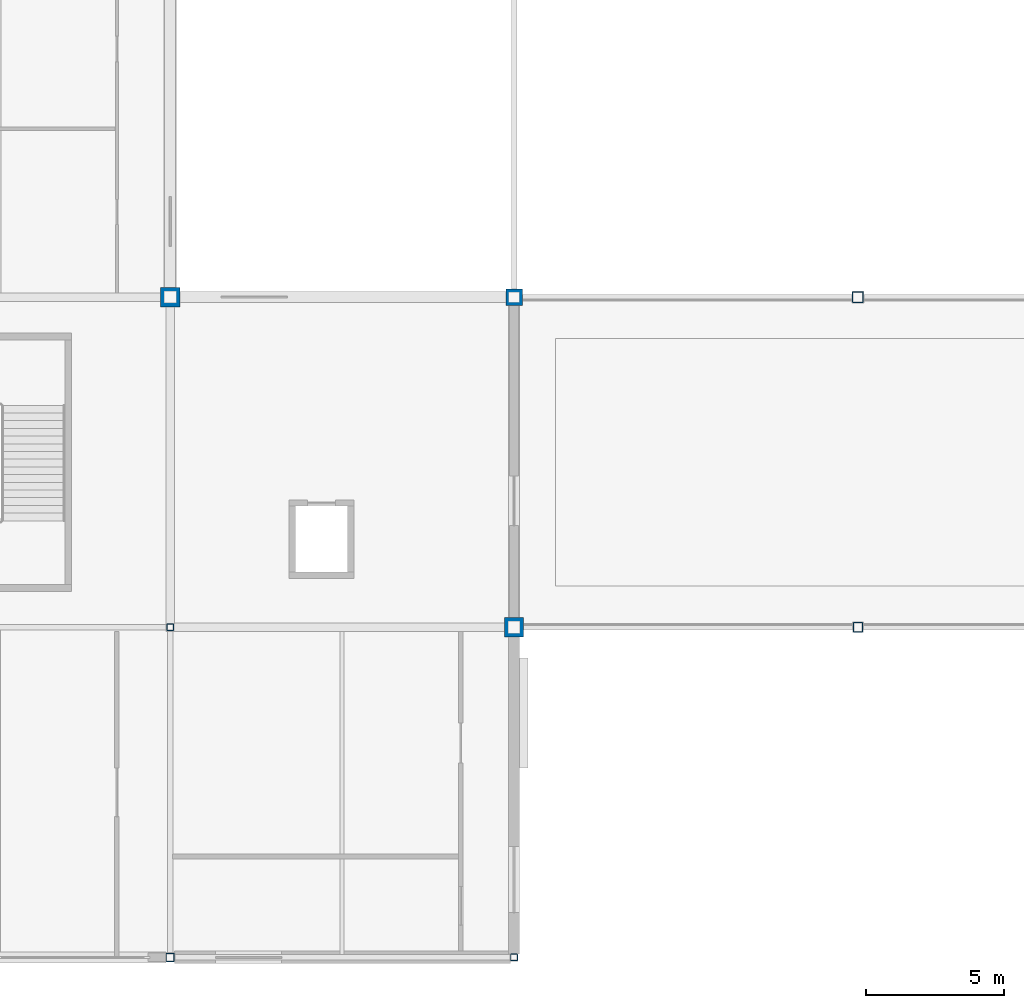
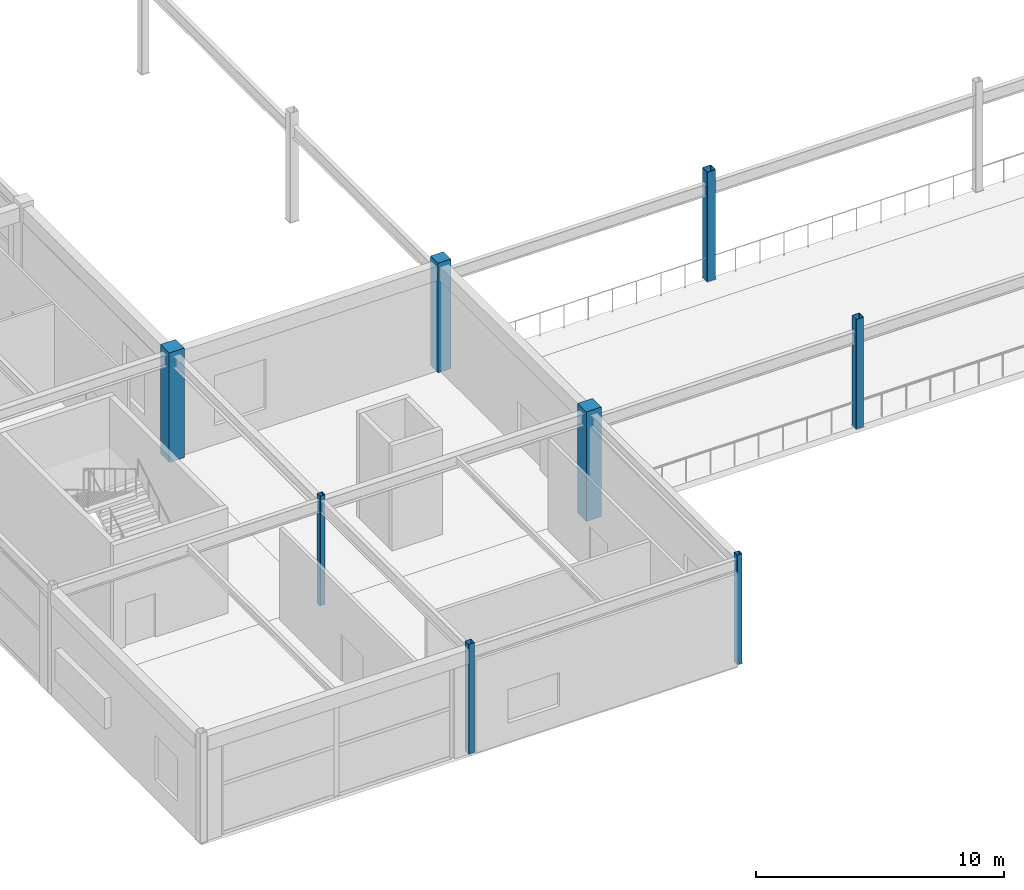
# One storey, part 2 of 105: 8 columns.
"""IFC4 building model written with IfcOpenShell, lengths in metres."""

from ifc_helpers import new_model, si_unit, direction, frame, origin, origin_2d, place, context, subcontext, project, spatial, rectangle, hollow_rectangle, extrude, material, material_profile, profile_set, type_object, element, save


model = new_model("IFC4")

# Units and contexts
model_context = context("Model", 3, precision=1e-05, world=origin(), true_north=direction((0.0, 1.0)))
body_context = subcontext(model_context, "Body", "Model", "MODEL_VIEW")
ifc_project = project(units=[si_unit("LENGTHUNIT", "METRE"), si_unit("AREAUNIT", "SQUARE_METRE"), si_unit("VOLUMEUNIT", "CUBIC_METRE"), si_unit("PLANEANGLEUNIT", "RADIAN"), si_unit("MASSUNIT", "GRAM", prefix="KILO")], contexts=[model_context])

# Site, building, storey
site_placement = place(None, origin())
site = spatial("IfcSite", under=ifc_project, at=site_placement, CompositionType="ELEMENT")
building_placement = place(site_placement, origin())
building = spatial("IfcBuilding", under=site, at=building_placement, Name="Kazenohara Klinker Stadium", CompositionType="ELEMENT")
storey_placement = place(building_placement, frame((0.0, 0.0, 20.39990234375)))
storey = spatial("IfcBuildingStorey", under=building, at=storey_placement, Name="L04", CompositionType="ELEMENT", Elevation=20.39990234375)

# Columns
ifc_material_1 = material(Name="Concrete C40/50", Category="concrete")
ifc_material_profile_1 = material_profile(ifc_material_1, rectangle(XDim=0.699951171875, YDim=0.699951171875, at=origin_2d()), Name="RC-COL-700x700")
ifc_profile_set_1 = profile_set([ifc_material_profile_1], Name="Concrete C40/50")
column_type_1 = type_object("IfcColumnType", Name="COL-RC06", PredefinedType="COLUMN", material=ifc_profile_set_1)
for number, where, z_axis, x_axis, name in (
    (1, (36.5, 36.0, 0.0), (0.0, 0.0, 1.0), (1.0, 0.0, 0.0), "Column C06 L04 4/D"),
    (2, (49.0, 24.0, 0.0), (0.0, 0.0, 1.0), (1.0, 0.0, 0.0), "Column C06 L04 5/C"),
):
    element("IfcColumn", number, at=place(storey_placement, frame(where, z_axis=z_axis, x_axis=x_axis)), inside=storey, type_object=column_type_1, Name=name, PredefinedType="COLUMN", context=body_context, shape_type="SweptSolid", body=[
        extrude(rectangle(XDim=0.699951171875, YDim=0.699951171875, at=origin_2d()), origin(), (0.0, 0.0, 1.0), 5.400146484375),
    ])
ifc_material_profile_2 = material_profile(ifc_material_1, rectangle(XDim=0.60009765625, YDim=0.60009765625, at=origin_2d()), Name="RC-COL-600x600")
ifc_profile_set_2 = profile_set([ifc_material_profile_2], Name="Concrete C40/50")
column_type_2 = type_object("IfcColumnType", Name="COL-RC07", PredefinedType="COLUMN", material=ifc_profile_set_2)
column_1_placement = place(storey_placement, frame((49.0, 36.0, 0.0), z_axis=(0.0, 0.0, 1.0), x_axis=(1.0, 0.0, 0.0)))
element("IfcColumn", 3, at=column_1_placement, inside=storey, type_object=column_type_2, Name="Column C07 L04 5/D", PredefinedType="COLUMN", context=body_context, shape_type="SweptSolid", body=[
    extrude(rectangle(XDim=0.60009765625, YDim=0.60009765625, at=origin_2d()), origin(), (0.0, 0.0, 1.0), 5.400146484375),
])
ifc_material_2 = material(Name="Steel S355", Category="steel")
ifc_material_profile_3 = material_profile(ifc_material_2, hollow_rectangle(XDim=0.39990234375, YDim=0.39990234375, WallThickness=0.01611328125, InnerFilletRadius=0.01611328125, OuterFilletRadius=0.031982421875, at=origin_2d()), Name="SHS-400x400x16")
ifc_profile_set_3 = profile_set([ifc_material_profile_3], Name="Steel S355")
column_type_3 = type_object("IfcColumnType", Name="COL-ST01", PredefinedType="COLUMN", material=ifc_profile_set_3)
column_2_placement = place(storey_placement, frame((61.5, 36.0, 0.0), z_axis=(0.0, 0.0, 1.0), x_axis=(1.0, 0.0, 0.0)))
element("IfcColumn", 4, at=column_2_placement, inside=storey, type_object=column_type_3, Name="Canopy ring support column SC01 L04 6/D", PredefinedType="COLUMN", context=body_context, shape_type="SweptSolid", body=[
    extrude(hollow_rectangle(XDim=0.39990234375, YDim=0.39990234375, WallThickness=0.01611328125, InnerFilletRadius=0.01611328125, OuterFilletRadius=0.031982421875, at=origin_2d()), origin(), (0.0, 0.0, 1.0), 5.400146484375),
])
ifc_material_profile_4 = material_profile(ifc_material_2, hollow_rectangle(XDim=0.35009765625, YDim=0.35009765625, WallThickness=0.01611328125, InnerFilletRadius=0.01611328125, OuterFilletRadius=0.031982421875, at=origin_2d()), Name="SHS-350x350x16")
ifc_profile_set_4 = profile_set([ifc_material_profile_4], Name="Steel S355")
column_type_4 = type_object("IfcColumnType", Name="COL-ST02", PredefinedType="COLUMN", material=ifc_profile_set_4)
column_3_placement = place(storey_placement, frame((61.5, 24.0, 0.0), z_axis=(0.0, 0.0, 1.0), x_axis=(1.0, 0.0, 0.0)))
element("IfcColumn", 5, at=column_3_placement, inside=storey, type_object=column_type_4, Name="Canopy ring support column SC02 L04 6/C", PredefinedType="COLUMN", context=body_context, shape_type="SweptSolid", body=[
    extrude(hollow_rectangle(XDim=0.35009765625, YDim=0.35009765625, WallThickness=0.01611328125, InnerFilletRadius=0.01611328125, OuterFilletRadius=0.031982421875, at=origin_2d()), origin(), (0.0, 0.0, 1.0), 5.400146484375),
])
ifc_material_profile_5 = material_profile(ifc_material_2, hollow_rectangle(XDim=0.300048828125, YDim=0.300048828125, WallThickness=0.011962890625, InnerFilletRadius=0.011962890625, OuterFilletRadius=0.02392578125, at=origin_2d()), Name="SHS-300x300x12")
ifc_profile_set_5 = profile_set([ifc_material_profile_5], Name="Steel S355")
column_type_5 = type_object("IfcColumnType", Name="COL-ST03", PredefinedType="COLUMN", material=ifc_profile_set_5)
column_4_placement = place(storey_placement, frame((36.5, 12.0, 0.0), z_axis=(0.0, 0.0, 1.0), x_axis=(1.0, 0.0, 0.0)))
element("IfcColumn", 6, at=column_4_placement, inside=storey, type_object=column_type_5, Name="Column SC03 L04 4/B", PredefinedType="COLUMN", context=body_context, shape_type="SweptSolid", body=[
    extrude(hollow_rectangle(XDim=0.300048828125, YDim=0.300048828125, WallThickness=0.011962890625, InnerFilletRadius=0.011962890625, OuterFilletRadius=0.02392578125, at=origin_2d()), origin(), (0.0, 0.0, 1.0), 5.400146484375),
])
ifc_material_profile_6 = material_profile(ifc_material_2, hollow_rectangle(XDim=0.25, YDim=0.25, WallThickness=0.011962890625, InnerFilletRadius=0.011962890625, OuterFilletRadius=0.02392578125, at=origin_2d()), Name="SHS-250x250x12")
ifc_profile_set_6 = profile_set([ifc_material_profile_6], Name="Steel S355")
column_type_6 = type_object("IfcColumnType", Name="COL-ST04", PredefinedType="COLUMN", material=ifc_profile_set_6)
for number, where, z_axis, x_axis, name in (
    (7, (36.5, 24.0, 0.0), (0.0, 0.0, 1.0), (1.0, 0.0, 0.0), "Column SC04 L04 4/C"),
    (8, (49.0, 12.0, 0.0), (0.0, 0.0, 1.0), (1.0, 0.0, 0.0), "Column SC04 L04 5/B"),
):
    element("IfcColumn", number, at=place(storey_placement, frame(where, z_axis=z_axis, x_axis=x_axis)), inside=storey, type_object=column_type_6, Name=name, PredefinedType="COLUMN", context=body_context, shape_type="SweptSolid", body=[
        extrude(hollow_rectangle(XDim=0.25, YDim=0.25, WallThickness=0.011962890625, InnerFilletRadius=0.011962890625, OuterFilletRadius=0.02392578125, at=origin_2d()), origin(), (0.0, 0.0, 1.0), 5.400146484375),
    ])

save(model, "model.ifc")
